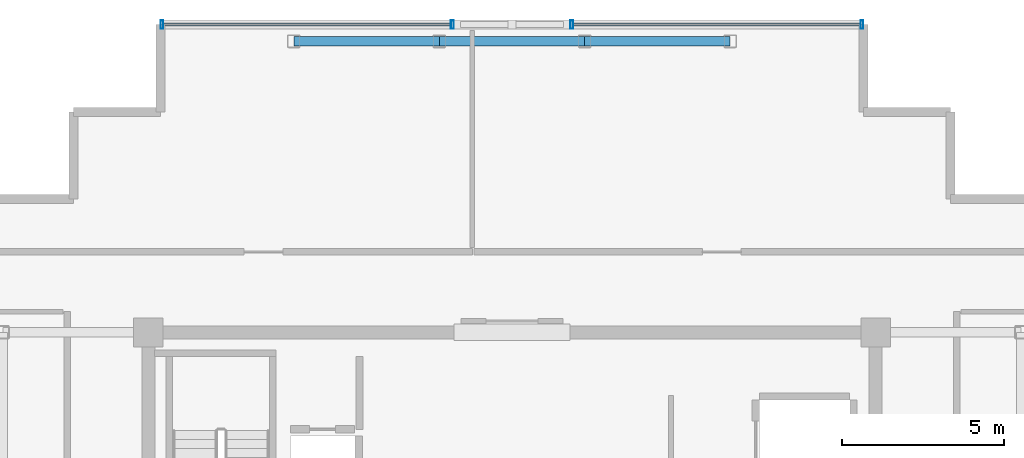
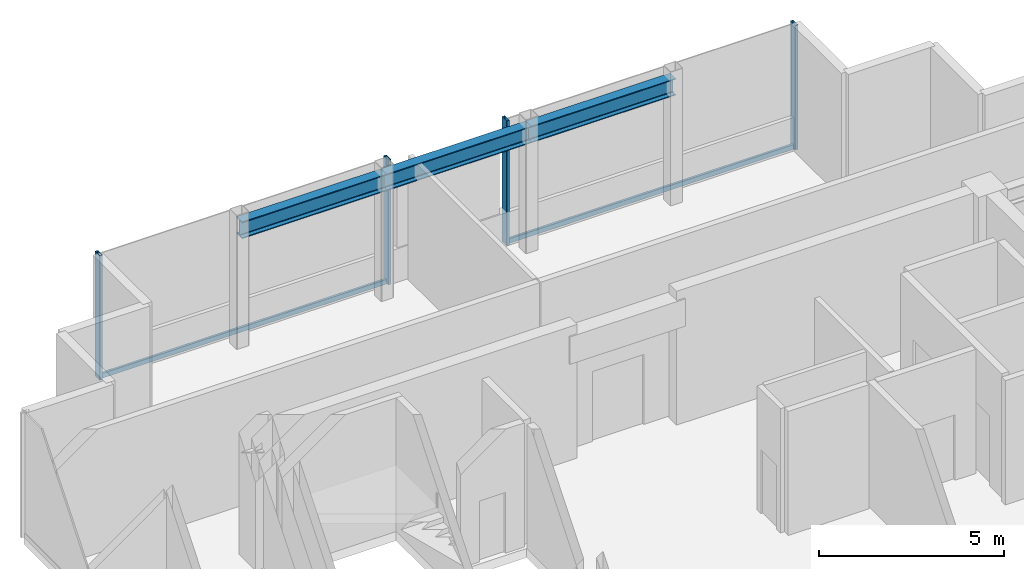
# One storey, part 10 of 14: 6 members, 3 beams, 2 elements without a shape of their own.
"""IFC4 building model written with IfcOpenShell, lengths in metres."""

from ifc_helpers import new_model, si_unit, direction, frame, origin, origin_2d, place, context, subcontext, project, spatial, hollow_rectangle, i_section, extrude, source, transform, mapped, material, layer, layer_set, material_profile, profile_set, type_object, element, aggregate, save


model = new_model("IFC4")

# Units and contexts
model_context = context("Model", 3, precision=1e-05, world=origin(), true_north=direction((0.0, 1.0)))
body_context = subcontext(model_context, "Body", "Model", "MODEL_VIEW")
ifc_project = project(units=[si_unit("LENGTHUNIT", "METRE"), si_unit("AREAUNIT", "SQUARE_METRE"), si_unit("VOLUMEUNIT", "CUBIC_METRE"), si_unit("PLANEANGLEUNIT", "RADIAN"), si_unit("MASSUNIT", "GRAM", prefix="KILO")], contexts=[model_context])

# Site, building, storey
site_placement = place(None, origin())
site = spatial("IfcSite", under=ifc_project, at=site_placement, CompositionType="ELEMENT")
building_placement = place(site_placement, origin())
building = spatial("IfcBuilding", under=site, at=building_placement, Name="Nefas-Gora Pilgrimage Tower", CompositionType="ELEMENT")
storey_placement = place(building_placement, frame((0.0, 0.0, 363.0)))
storey = spatial("IfcBuildingStorey", under=building, at=storey_placement, Name="L91", CompositionType="ELEMENT", Elevation=363.0)

# Beams
ifc_material_1 = material(Name="Steel S355", Category="steel")
ifc_material_profile_1 = material_profile(ifc_material_1, i_section(OverallWidth=0.300048828125, OverallDepth=0.550048828125, WebThickness=0.014892578125, FlangeThickness=0.029052734375, FilletRadius=0.027099609375, at=origin_2d()), Name="HEB 550")
ifc_profile_set_1 = profile_set([ifc_material_profile_1], Name="Steel S355")
beam_type = type_object("IfcBeamType", Name="BM-SPN-HEB400", PredefinedType="SPANDREL", material=ifc_profile_set_1)
shared_shape_1 = source(origin(), body_context, "Body", "SweptSolid", [
    extrude(i_section(OverallWidth=0.300048828125, OverallDepth=0.550048828125, WebThickness=0.014892578125, FlangeThickness=0.029052734375, FilletRadius=0.027099609375, at=origin_2d()), origin(), (0.0, 0.0, 1.0), 4.5),
])
for number, where, z_axis, x_axis, name in (
    (1, (-6.75, 18.0, 3.824951171875), (1.0, 0.0, 0.0), (0.0, 1.0, 0.0), "L91 SP-04 beam"),
    (2, (-2.25, 18.0, 3.824951171875), (1.0, 0.0, 0.0), (0.0, 1.0, 0.0), "L91 SP-04 beam"),
    (3, (2.25, 18.0, 3.824951171875), (1.0, 0.0, 0.0), (0.0, 1.0, 0.0), "L91 SP-04 beam"),
):
    element("IfcBeam", number, at=place(storey_placement, frame(where, z_axis=z_axis, x_axis=x_axis)), inside=storey, type_object=beam_type, Name=name, PredefinedType="SPANDREL", context=body_context, shape_type="MappedRepresentation", body=[
        mapped(shared_shape_1, transform((0.0, 0.0, 0.0), x_axis=(1.0, 0.0, 0.0), y_axis=(0.0, 1.0, 0.0), z_axis=(0.0, 0.0, 1.0), scale=1.0)),
    ])

# Curtain wall, member
ifc_material_2 = material(Name="Dark ceramic-fritted solar-control aluminium-glass curtain wall", Category="aluminium")
ifc_layer = layer(ifc_material_2, 0.219970703125)
ifc_layer_set = layer_set([ifc_layer], Name="Dark ceramic-fritted solar-control aluminium-glass curtain wall")
curtain_wall_type = type_object("IfcCurtainWallType", Name="CW-SYS-6", PredefinedType="NOTDEFINED", material=ifc_layer_set)
curtain_wall_1_placement = place(storey_placement, origin())
curtain_wall_1 = element("IfcCurtainWall", 4, at=curtain_wall_1_placement, inside=storey, type_object=curtain_wall_type, Name="L91 Unitised Curtain Wall CW6", PredefinedType="NOTDEFINED")
ifc_material_3 = material(Name="Anodised architectural aluminium", Category="aluminium")
ifc_material_profile_2 = material_profile(ifc_material_3, hollow_rectangle(XDim=0.080078125, YDim=0.159912109375, WallThickness=0.00439453125, InnerFilletRadius=0.00439453125, OuterFilletRadius=0.009033203125, at=origin_2d()), Name="ALU TRANSOM 80x160")
ifc_profile_set_2 = profile_set([ifc_material_profile_2], Name="Anodised architectural aluminium")
member_type_1 = type_object("IfcMemberType", Name="CWM-TRN-6", PredefinedType="USERDEFINED", material=ifc_profile_set_2)
shared_shape_2 = source(origin(), body_context, "Body", "SweptSolid", [
    extrude(hollow_rectangle(XDim=0.080078125, YDim=0.159912109375, WallThickness=0.00439453125, InnerFilletRadius=0.00439453125, OuterFilletRadius=0.009033203125, at=origin_2d()), origin(), (0.0, 0.0, 1.0), 8.89013671875),
])
member_1_placement = place(storey_placement, frame((10.780029296875, 18.52001953125, 0.050048828125), z_axis=(-1.0, 0.0, 0.0), x_axis=(0.0, -1.0, 0.0)))
member_1 = element("IfcMember", 5, at=member_1_placement, type_object=member_type_1, Name="CW6 Spandrel Transom", ObjectType="TRANSOM", PredefinedType="USERDEFINED", context=body_context, shape_type="MappedRepresentation", body=[
    mapped(shared_shape_2, transform((0.0, 0.0, 0.0), x_axis=(1.0, 0.0, 0.0), y_axis=(0.0, 1.0, 0.0), z_axis=(0.0, 0.0, 1.0), scale=1.0)),
])

curtain_wall_2_placement = place(storey_placement, origin())
curtain_wall_2 = element("IfcCurtainWall", 6, at=curtain_wall_2_placement, inside=storey, type_object=curtain_wall_type, Name="L91 Unitised Curtain Wall CW6", PredefinedType="NOTDEFINED")
member_2_placement = place(storey_placement, frame((-1.889892578125, 18.52001953125, 0.050048828125), z_axis=(-1.0, 0.0, 0.0), x_axis=(0.0, -1.0, 0.0)))
member_2 = element("IfcMember", 7, at=member_2_placement, type_object=member_type_1, Name="CW6 Spandrel Transom", ObjectType="TRANSOM", PredefinedType="USERDEFINED", context=body_context, shape_type="MappedRepresentation", body=[
    mapped(shared_shape_2, transform((0.0, 0.0, 0.0), x_axis=(1.0, 0.0, 0.0), y_axis=(0.0, 1.0, 0.0), z_axis=(0.0, 0.0, 1.0), scale=1.0)),
])

# Member
ifc_material_profile_3 = material_profile(ifc_material_3, hollow_rectangle(XDim=0.090087890625, YDim=0.260009765625, WallThickness=0.006103515625, InnerFilletRadius=0.006103515625, OuterFilletRadius=0.011962890625, at=origin_2d()), Name="ALU MULLION 90x260")
ifc_profile_set_3 = profile_set([ifc_material_profile_3], Name="Anodised architectural aluminium")
member_type_2 = type_object("IfcMemberType", Name="CWM-MUL-6", PredefinedType="MULLION", material=ifc_profile_set_3)
shared_shape_3 = source(origin(), body_context, "Body", "SweptSolid", [
    extrude(hollow_rectangle(XDim=0.090087890625, YDim=0.260009765625, WallThickness=0.006103515625, InnerFilletRadius=0.006103515625, OuterFilletRadius=0.011962890625, at=origin_2d()), origin(), (0.0, 0.0, 1.0), 4.10009765625),
])
member_3_placement = place(storey_placement, frame((10.824951171875, 18.52001953125, 0.0), z_axis=(0.0, 0.0, 1.0), x_axis=(-1.0, 0.0, 0.0)))
member_3 = element("IfcMember", 8, at=member_3_placement, type_object=member_type_2, Name="CW6 Mullion 1", PredefinedType="MULLION", context=body_context, shape_type="MappedRepresentation", body=[
    mapped(shared_shape_3, transform((0.0, 0.0, 0.0), x_axis=(1.0, 0.0, 0.0), y_axis=(0.0, 1.0, 0.0), z_axis=(0.0, 0.0, 1.0), scale=1.0)),
])

member_4_placement = place(storey_placement, frame((1.844970703125, 18.52001953125, 0.0), z_axis=(0.0, 0.0, 1.0), x_axis=(-1.0, 0.0, 0.0)))
member_4 = element("IfcMember", 9, at=member_4_placement, type_object=member_type_2, Name="CW6 Mullion 2", PredefinedType="MULLION", context=body_context, shape_type="MappedRepresentation", body=[
    mapped(shared_shape_3, transform((0.0, 0.0, 0.0), x_axis=(1.0, 0.0, 0.0), y_axis=(0.0, 1.0, 0.0), z_axis=(0.0, 0.0, 1.0), scale=1.0)),
])

aggregate(curtain_wall_1, [member_3, member_4, member_1])

member_5_placement = place(storey_placement, frame((-1.844970703125, 18.52001953125, 0.0), z_axis=(0.0, 0.0, 1.0), x_axis=(-1.0, 0.0, 0.0)))
member_5 = element("IfcMember", 10, at=member_5_placement, type_object=member_type_2, Name="CW6 Mullion 1", PredefinedType="MULLION", context=body_context, shape_type="MappedRepresentation", body=[
    mapped(shared_shape_3, transform((0.0, 0.0, 0.0), x_axis=(1.0, 0.0, 0.0), y_axis=(0.0, 1.0, 0.0), z_axis=(0.0, 0.0, 1.0), scale=1.0)),
])

member_6_placement = place(storey_placement, frame((-10.824951171875, 18.52001953125, 0.0), z_axis=(0.0, 0.0, 1.0), x_axis=(-1.0, 0.0, 0.0)))
member_6 = element("IfcMember", 11, at=member_6_placement, type_object=member_type_2, Name="CW6 Mullion 2", PredefinedType="MULLION", context=body_context, shape_type="MappedRepresentation", body=[
    mapped(shared_shape_3, transform((0.0, 0.0, 0.0), x_axis=(1.0, 0.0, 0.0), y_axis=(0.0, 1.0, 0.0), z_axis=(0.0, 0.0, 1.0), scale=1.0)),
])

aggregate(curtain_wall_2, [member_5, member_6, member_2])

save(model, "model.ifc")
